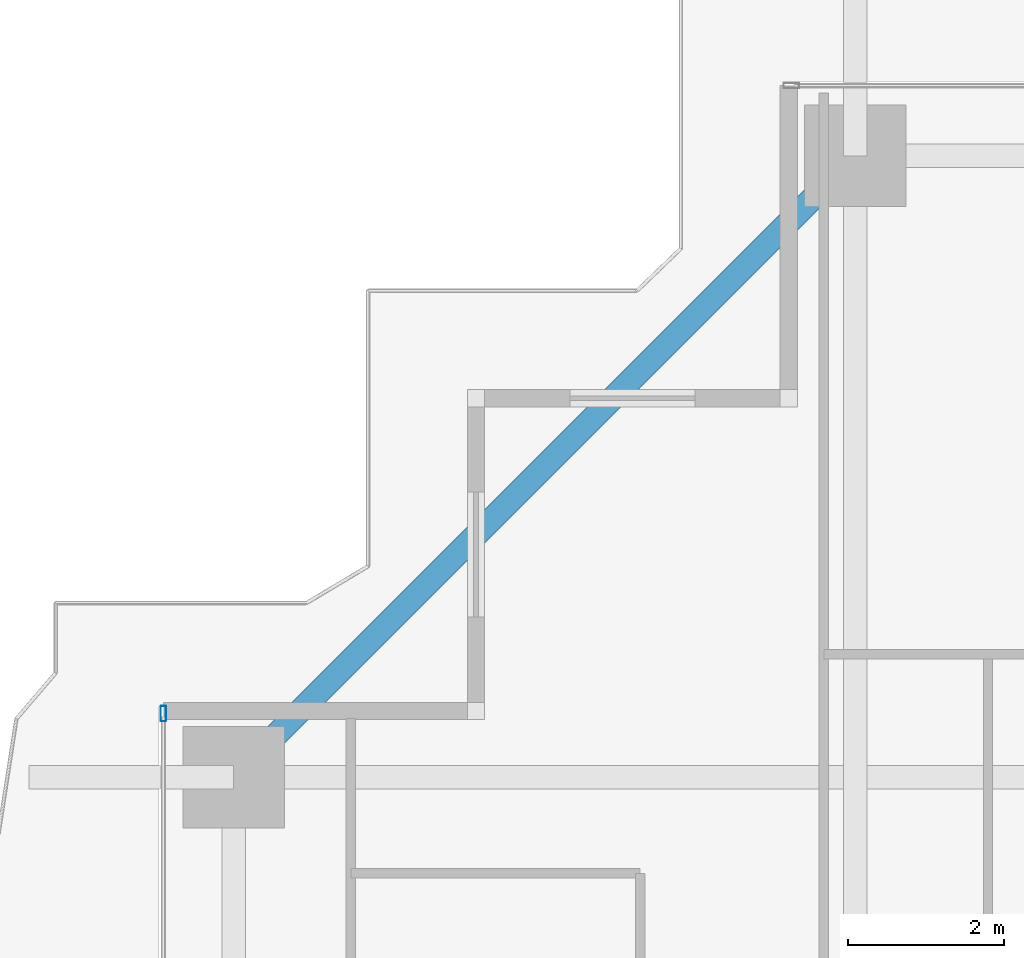
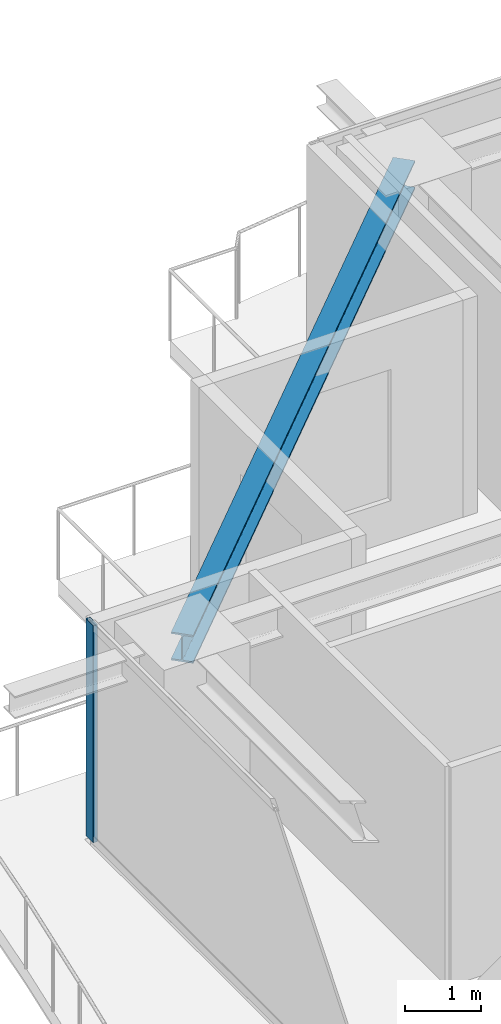
# One storey, part 19 of 37: 1 beam, 1 member, 1 element without a shape of its own.
"""IFC4 building model written with IfcOpenShell, lengths in metres."""

from ifc_helpers import new_model, si_unit, direction, frame, origin, origin_2d, place, context, subcontext, project, spatial, hollow_rectangle, i_section, extrude, source, transform, mapped, material, layer, layer_set, material_profile, profile_set, type_object, element, aggregate, save


model = new_model("IFC4")

# Units and contexts
model_context = context("Model", 3, precision=1e-05, world=origin(), true_north=direction((0.0, 1.0)))
body_context = subcontext(model_context, "Body", "Model", "MODEL_VIEW")
ifc_project = project(units=[si_unit("LENGTHUNIT", "METRE"), si_unit("AREAUNIT", "SQUARE_METRE"), si_unit("VOLUMEUNIT", "CUBIC_METRE"), si_unit("PLANEANGLEUNIT", "RADIAN"), si_unit("MASSUNIT", "GRAM", prefix="KILO")], contexts=[model_context])

# Site, building, storey
site_placement = place(None, origin())
site = spatial("IfcSite", under=ifc_project, at=site_placement, CompositionType="ELEMENT")
building_placement = place(site_placement, origin())
building = spatial("IfcBuilding", under=site, at=building_placement, Name="Serunith Strait Residences", CompositionType="ELEMENT")
storey_placement = place(building_placement, frame((0.0, 0.0, 138.89990234375)))
storey = spatial("IfcBuildingStorey", under=building, at=storey_placement, Name="L34", CompositionType="ELEMENT", Elevation=138.89990234375)

# Beam
ifc_material_1 = material(Name="Steel S355J2", Category="steel")
ifc_material_profile_1 = material_profile(ifc_material_1, i_section(OverallWidth=0.300048828125, OverallDepth=0.449951171875, WebThickness=0.013916015625, FlangeThickness=0.02587890625, FilletRadius=0.027099609375, at=origin_2d()), Name="HEB 450")
ifc_profile_set_1 = profile_set([ifc_material_profile_1], Name="Steel S355J2")
beam_type = type_object("IfcBeamType", Name="BM-HEB450", PredefinedType="BEAM", material=ifc_profile_set_1)
shared_shape_1 = source(origin(), body_context, "Body", "SweptSolid", [
    extrude(i_section(OverallWidth=0.300048828125, OverallDepth=0.449951171875, WebThickness=0.013916015625, FlangeThickness=0.02587890625, FilletRadius=0.027099609375, at=origin_2d()), origin(), (0.0, 0.0, 1.0), 11.2431640625),
])
beam_placement = place(storey_placement, frame((16.64990234375, 48.10009765625, 3.232177734375), z_axis=(-0.707095923751, -0.707117638455, 0.0), x_axis=(0.707117638455, -0.707095923751, 0.0)))
element("IfcBeam", 1, at=beam_placement, inside=storey, type_object=beam_type, Name="L34 Perimeter Ring Beam 12", PredefinedType="BEAM", context=body_context, shape_type="MappedRepresentation", body=[
    mapped(shared_shape_1, transform((0.0, 0.0, 0.0), scale=1.0)),
])

# Curtain wall, member
ifc_material_2 = material(Name="Pale-Champagne Anodised Aluminium", Category="aluminium")
ifc_layer = layer(ifc_material_2, 0.199951171875, Name="Pale-Champagne Anodised Aluminium")
ifc_layer_set = layer_set([ifc_layer], Name="Pale-Champagne Anodised Aluminium")
curtain_wall_type = type_object("IfcCurtainWallType", Name="CW-SYS2", PredefinedType="NOTDEFINED", material=ifc_layer_set)
curtain_wall_placement = place(storey_placement, origin())
curtain_wall = element("IfcCurtainWall", 2, at=curtain_wall_placement, inside=storey, type_object=curtain_wall_type, Name="L34 W Unitised Fritted Curtain Wall", PredefinedType="NOTDEFINED")
ifc_material_profile_2 = material_profile(ifc_material_2, hollow_rectangle(XDim=0.070068359375, YDim=0.199951171875, WallThickness=0.00390625, InnerFilletRadius=0.006103515625, OuterFilletRadius=0.010009765625, at=origin_2d()), Name="ALU 200x70x4")
ifc_profile_set_2 = profile_set([ifc_material_profile_2], Name="Pale-Champagne Anodised Aluminium")
member_type = type_object("IfcMemberType", Name="CW-SYS2-MULL", PredefinedType="MULLION", material=ifc_profile_set_2)
shared_shape_2 = source(origin(), body_context, "Body", "SweptSolid", [
    extrude(hollow_rectangle(XDim=0.070068359375, YDim=0.199951171875, WallThickness=0.00390625, InnerFilletRadius=0.006103515625, OuterFilletRadius=0.010009765625, at=origin_2d()), origin(), (0.0, 0.0, 1.0), 3.47509765625),
])
member_placement = place(storey_placement, frame((7.800048828125, 40.965087890625, 0.0), z_axis=(0.0, 0.0, 1.0), x_axis=(1.0, 0.0, 0.0)))
member = element("IfcMember", 3, at=member_placement, type_object=member_type, Name="CW-2 mullion 1", PredefinedType="MULLION", context=body_context, shape_type="MappedRepresentation", body=[
    mapped(shared_shape_2, transform((0.0, 0.0, 0.0), scale=1.0)),
])
aggregate(curtain_wall, [member])

save(model, "model.ifc")
